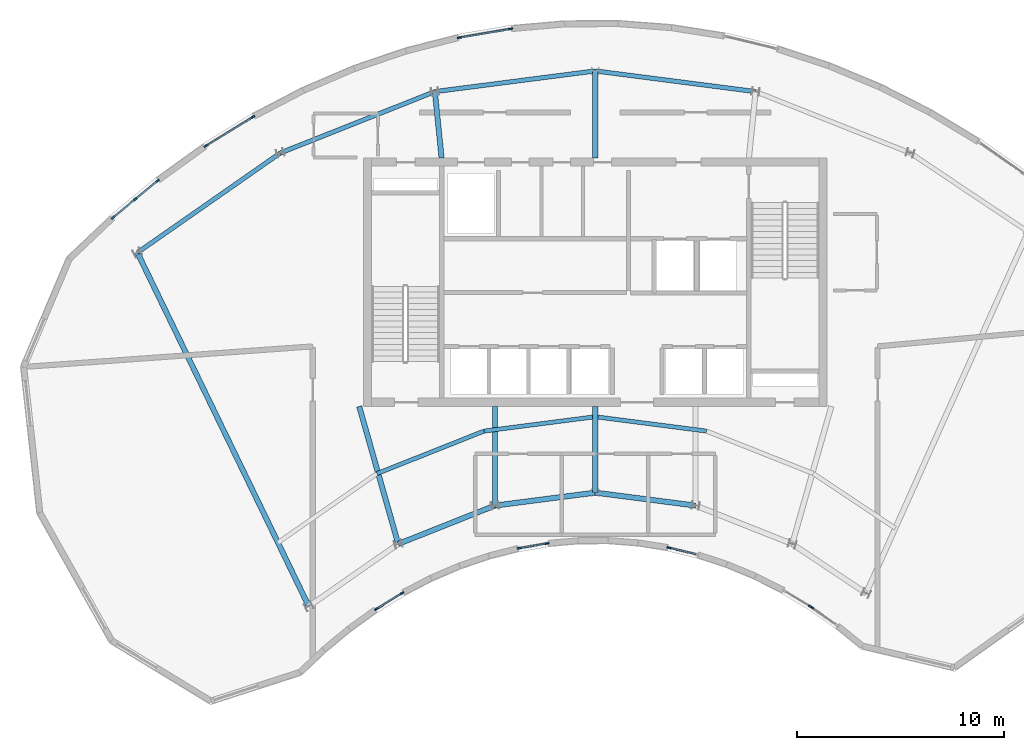
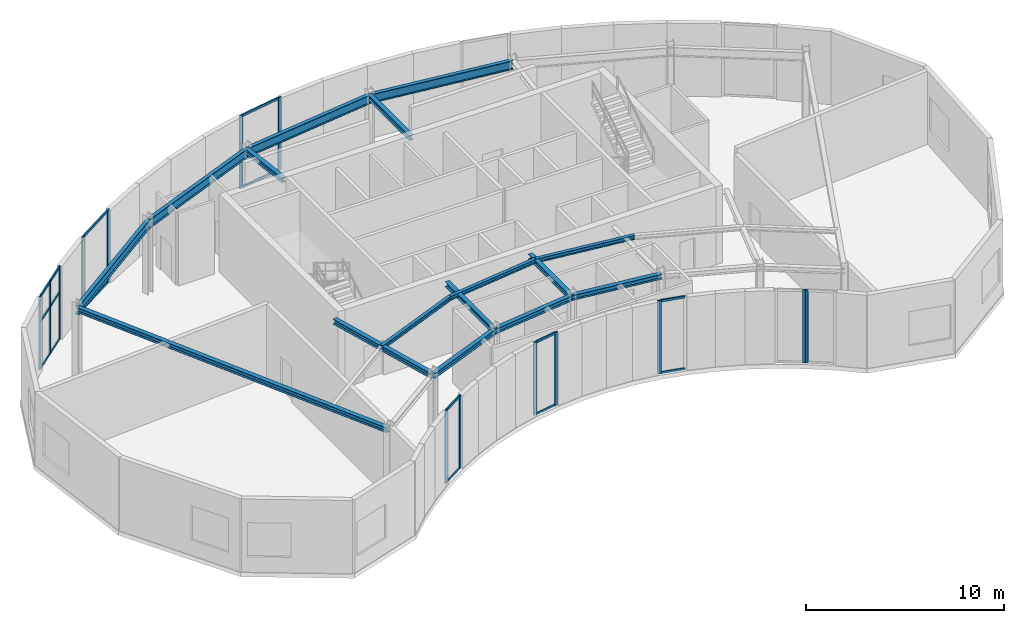
# One storey, part 3 of 10: 30 members, 16 beams, 8 elements without a shape of their own.
"""IFC4 building model written with IfcOpenShell, lengths in metres."""

from ifc_helpers import new_model, si_unit, direction, frame, origin, origin_2d, place, context, subcontext, project, spatial, rectangle, i_section, extrude, source, transform, mapped, material, layer, layer_set, material_profile, profile_set, type_object, element, aggregate, save


model = new_model("IFC4")

# Units and contexts
model_context = context("Model", 3, precision=1e-05, world=origin(), true_north=direction((0.0, 1.0)))
body_context = subcontext(model_context, "Body", "Model", "MODEL_VIEW")
ifc_project = project(units=[si_unit("LENGTHUNIT", "METRE"), si_unit("AREAUNIT", "SQUARE_METRE"), si_unit("VOLUMEUNIT", "CUBIC_METRE"), si_unit("PLANEANGLEUNIT", "RADIAN"), si_unit("MASSUNIT", "GRAM", prefix="KILO")], contexts=[model_context])

# Site, building, storey
site_placement = place(None, origin())
site = spatial("IfcSite", under=ifc_project, at=site_placement, CompositionType="ELEMENT")
building_placement = place(site_placement, origin())
building = spatial("IfcBuilding", under=site, at=building_placement, Name="Breltana Convention Tower", CompositionType="ELEMENT")
storey_placement = place(building_placement, frame((0.0, 0.0, 307.800048828125)))
storey = spatial("IfcBuildingStorey", under=building, at=storey_placement, Name="L75", CompositionType="ELEMENT", Elevation=307.800048828125)

# Beams
ifc_material_1 = material(Name="Steel ASTM A992 Grade 50", Category="steel")
ifc_material_profile_1 = material_profile(ifc_material_1, i_section(OverallWidth=0.214111328125, OverallDepth=0.549072265625, WebThickness=0.0146484375, FlangeThickness=0.023681640625, at=origin_2d()), Name="W21X93")
ifc_profile_set_1 = profile_set([ifc_material_profile_1], Name="Steel ASTM A992 Grade 50")
beam_type_1 = type_object("IfcBeamType", Name="BM-SP-W21X93", PredefinedType="SPANDREL", material=ifc_profile_set_1)
shared_shape_1 = source(origin(), body_context, "Body", "SweptSolid", [
    extrude(i_section(OverallWidth=0.214111328125, OverallDepth=0.549072265625, WebThickness=0.0146484375, FlangeThickness=0.023681640625, at=origin_2d()), origin(), (0.0, 0.0, 1.0), 8.4169921875),
])
beam_1_placement = place(storey_placement, frame((25.8876953125, 67.626953125, 4.225341796875), z_axis=(0.820173800102, 0.572114444519, 0.0), x_axis=(-0.572114444519, 0.820173800102, 0.0)))
element("IfcBeam", 1, at=beam_1_placement, inside=storey, type_object=beam_type_1, Name="L75 Outer Spandrel Beam 03", PredefinedType="SPANDREL", context=body_context, shape_type="MappedRepresentation", body=[
    mapped(shared_shape_1, transform((0.0, 0.0, 0.0), scale=1.0)),
])
shared_shape_2 = source(origin(), body_context, "Body", "SweptSolid", [
    extrude(i_section(OverallWidth=0.214111328125, OverallDepth=0.549072265625, WebThickness=0.0146484375, FlangeThickness=0.023681640625, at=origin_2d()), origin(), (0.0, 0.0, 1.0), 8.028564453125),
])
beam_2_placement = place(storey_placement, frame((32.791015625, 72.4423828125, 4.225341796875), z_axis=(0.929459100394, 0.368925169507, 0.0), x_axis=(-0.368925169507, 0.929459100394, 0.0)))
element("IfcBeam", 2, at=beam_2_placement, inside=storey, type_object=beam_type_1, Name="L75 Outer Spandrel Beam 04", PredefinedType="SPANDREL", context=body_context, shape_type="MappedRepresentation", body=[
    mapped(shared_shape_2, transform((0.0, 0.0, 0.0), scale=1.0)),
])
shared_shape_3 = source(origin(), body_context, "Body", "SweptSolid", [
    extrude(i_section(OverallWidth=0.214111328125, OverallDepth=0.549072265625, WebThickness=0.0146484375, FlangeThickness=0.023681640625, at=origin_2d()), origin(), (0.0, 0.0, 1.0), 7.81103515625),
])
for number, where, z_axis, x_axis, name in (
    (3, (40.253173828125, 75.404296875, 4.225341796875), (0.991775179127, 0.127992164083, 0.0), (-0.127992164083, 0.991775179127, 0.0), "L75 Outer Spandrel Beam 05"),
    (4, (48.0, 76.404052734375, 4.225341796875), (0.991775179127, -0.127992164083, 0.0), (0.127992164083, 0.991775179127, 0.0), "L75 Outer Spandrel Beam 06"),
):
    element("IfcBeam", number, at=place(storey_placement, frame(where, z_axis=z_axis, x_axis=x_axis)), inside=storey, type_object=beam_type_1, Name=name, PredefinedType="SPANDREL", context=body_context, shape_type="MappedRepresentation", body=[
        mapped(shared_shape_3, transform((0.0, 0.0, 0.0), scale=1.0)),
    ])
ifc_material_profile_2 = material_profile(ifc_material_1, i_section(OverallWidth=0.25390625, OverallDepth=0.305908203125, WebThickness=0.0087890625, FlangeThickness=0.0146484375, at=origin_2d()), Name="W12X53")
ifc_profile_set_2 = profile_set([ifc_material_profile_2], Name="Steel ASTM A992 Grade 50")
beam_type_2 = type_object("IfcBeamType", Name="BM-CN-W12X53", PredefinedType="BEAM", material=ifc_profile_set_2)
shared_shape_4 = source(origin(), body_context, "Body", "SweptSolid", [
    extrude(i_section(OverallWidth=0.25390625, OverallDepth=0.305908203125, WebThickness=0.0087890625, FlangeThickness=0.0146484375, at=origin_2d()), origin(), (0.0, 0.0, 1.0), 18.982421875),
])
beam_3_placement = place(storey_placement, frame((34.166259765625, 50.544921875, 4.346923828125), z_axis=(-0.436118560343, 0.89988921614, 0.0), x_axis=(-0.89988921614, -0.436118560343, 0.0)))
element("IfcBeam", 5, at=beam_3_placement, inside=storey, type_object=beam_type_2, Name="L75 Radial Floor Girder R03", PredefinedType="BEAM", context=body_context, shape_type="MappedRepresentation", body=[
    mapped(shared_shape_4, transform((0.0, 0.0, 0.0), scale=1.0)),
])
shared_shape_5 = source(origin(), body_context, "Body", "SweptSolid", [
    extrude(i_section(OverallWidth=0.25390625, OverallDepth=0.305908203125, WebThickness=0.0087890625, FlangeThickness=0.0146484375, at=origin_2d()), origin(), (0.0, 0.0, 1.0), 6.904541015625),
])
beam_4_placement = place(storey_placement, frame((36.60009765625, 60.199951171875, 4.346923828125), z_axis=(0.273006781054, -0.962012108811, 0.0), x_axis=(0.962012108811, 0.273006781054, 0.0)))
element("IfcBeam", 6, at=beam_4_placement, inside=storey, type_object=beam_type_2, Name="L75 South Core Tie Girder R04", PredefinedType="BEAM", context=body_context, shape_type="MappedRepresentation", body=[
    mapped(shared_shape_5, transform((0.0, 0.0, 0.0), scale=1.0)),
])
shared_shape_6 = source(origin(), body_context, "Body", "SweptSolid", [
    extrude(i_section(OverallWidth=0.25390625, OverallDepth=0.305908203125, WebThickness=0.0087890625, FlangeThickness=0.0146484375, at=origin_2d()), origin(), (0.0, 0.0, 1.0), 4.789306640625),
])
beam_5_placement = place(storey_placement, frame((43.153564453125, 60.199951171875, 4.346923828125), z_axis=(0.0, -1.0, 0.0), x_axis=(1.0, 0.0, 0.0)))
element("IfcBeam", 7, at=beam_5_placement, inside=storey, type_object=beam_type_2, Name="L75 South Core Tie Girder R05", PredefinedType="BEAM", context=body_context, shape_type="MappedRepresentation", body=[
    mapped(shared_shape_6, transform((0.0, 0.0, 0.0), scale=1.0)),
])
shared_shape_7 = source(origin(), body_context, "Body", "SweptSolid", [
    extrude(i_section(OverallWidth=0.25390625, OverallDepth=0.305908203125, WebThickness=0.0087890625, FlangeThickness=0.0146484375, at=origin_2d()), origin(), (0.0, 0.0, 1.0), 3.220947265625),
])
beam_6_placement = place(storey_placement, frame((40.580078125, 72.199951171875, 4.346923828125), z_axis=(-0.101492254858, 0.994836329355, 0.0), x_axis=(-0.994836329355, -0.101492254858, 0.0)))
element("IfcBeam", 8, at=beam_6_placement, inside=storey, type_object=beam_type_2, Name="L75 North Core Radial Girder R05", PredefinedType="BEAM", context=body_context, shape_type="MappedRepresentation", body=[
    mapped(shared_shape_7, transform((0.0, 0.0, 0.0), scale=1.0)),
])
shared_shape_8 = source(origin(), body_context, "Body", "SweptSolid", [
    extrude(i_section(OverallWidth=0.25390625, OverallDepth=0.305908203125, WebThickness=0.0087890625, FlangeThickness=0.0146484375, at=origin_2d()), origin(), (0.0, 0.0, 1.0), 4.1640625),
])
beam_7_placement = place(storey_placement, frame((48.0, 60.199951171875, 4.346923828125), z_axis=(0.0, -1.0, 0.0), x_axis=(1.0, 0.0, 0.0)))
element("IfcBeam", 9, at=beam_7_placement, inside=storey, type_object=beam_type_2, Name="L75 South Core Tie Girder R06", PredefinedType="BEAM", context=body_context, shape_type="MappedRepresentation", body=[
    mapped(shared_shape_8, transform((0.0, 0.0, 0.0), scale=1.0)),
])
shared_shape_9 = source(origin(), body_context, "Body", "SweptSolid", [
    extrude(i_section(OverallWidth=0.25390625, OverallDepth=0.305908203125, WebThickness=0.0087890625, FlangeThickness=0.0146484375, at=origin_2d()), origin(), (0.0, 0.0, 1.0), 4.2041015625),
])
beam_8_placement = place(storey_placement, frame((48.0, 72.199951171875, 4.346923828125), z_axis=(0.0, 1.0, 0.0), x_axis=(-1.0, 0.0, 0.0)))
element("IfcBeam", 10, at=beam_8_placement, inside=storey, type_object=beam_type_2, Name="L75 North Core Radial Girder R06", PredefinedType="BEAM", context=body_context, shape_type="MappedRepresentation", body=[
    mapped(shared_shape_9, transform((0.0, 0.0, 0.0), scale=1.0)),
])
shared_shape_10 = source(origin(), body_context, "Body", "SweptSolid", [
    extrude(i_section(OverallWidth=0.25390625, OverallDepth=0.305908203125, WebThickness=0.0087890625, FlangeThickness=0.0146484375, at=origin_2d()), origin(), (0.0, 0.0, 1.0), 5.022705078125),
])
beam_9_placement = place(storey_placement, frame((38.485107421875, 53.5576171875, 4.346923828125), z_axis=(0.929458966248, 0.368925507469, 0.0), x_axis=(-0.368925507469, 0.929458966248, 0.0)))
element("IfcBeam", 11, at=beam_9_placement, inside=storey, type_object=beam_type_2, Name="L75 Inner Ring Beam 04", PredefinedType="BEAM", context=body_context, shape_type="MappedRepresentation", body=[
    mapped(shared_shape_10, transform((0.0, 0.0, 0.0), scale=1.0)),
])
shared_shape_11 = source(origin(), body_context, "Body", "SweptSolid", [
    extrude(i_section(OverallWidth=0.25390625, OverallDepth=0.305908203125, WebThickness=0.0087890625, FlangeThickness=0.0146484375, at=origin_2d()), origin(), (0.0, 0.0, 1.0), 4.88671875),
])
for number, where, z_axis, x_axis, name in (
    (12, (43.153564453125, 55.41064453125, 4.346923828125), (0.991780525565, 0.127950729231, 0.0), (-0.127950729231, 0.991780525565, 0.0), "L75 Inner Ring Beam 05"),
    (13, (48.0, 56.035888671875, 4.346923828125), (0.991780525565, -0.127950729231, 0.0), (0.127950729231, 0.991780525565, 0.0), "L75 Inner Ring Beam 06"),
):
    element("IfcBeam", number, at=place(storey_placement, frame(where, z_axis=z_axis, x_axis=x_axis)), inside=storey, type_object=beam_type_2, Name=name, PredefinedType="BEAM", context=body_context, shape_type="MappedRepresentation", body=[
        mapped(shared_shape_11, transform((0.0, 0.0, 0.0), scale=1.0)),
    ])
ifc_material_profile_3 = material_profile(ifc_material_1, i_section(OverallWidth=0.201904296875, OverallDepth=0.2470703125, WebThickness=0.00732421875, FlangeThickness=0.010986328125, at=origin_2d()), Name="W10X33")
ifc_profile_set_3 = profile_set([ifc_material_profile_3], Name="Steel ASTM A992 Grade 50")
beam_type_3 = type_object("IfcBeamType", Name="BM-LN-W10X33", PredefinedType="LINTEL", material=ifc_profile_set_3)
shared_shape_12 = source(origin(), body_context, "Body", "SweptSolid", [
    extrude(i_section(OverallWidth=0.201904296875, OverallDepth=0.2470703125, WebThickness=0.00732421875, FlangeThickness=0.010986328125, at=origin_2d()), origin(), (0.0, 0.0, 1.0), 5.563720703125),
])
beam_10_placement = place(storey_placement, frame((37.460205078125, 56.956787109375, 4.37646484375), z_axis=(0.929447960386, 0.368953234074, 0.0), x_axis=(-0.368953234074, 0.929447960386, 0.0)))
element("IfcBeam", 14, at=beam_10_placement, inside=storey, type_object=beam_type_3, Name="L75 Composite Floor Joist 04.1", PredefinedType="LINTEL", context=body_context, shape_type="MappedRepresentation", body=[
    mapped(shared_shape_12, transform((0.0, 0.0, 0.0), scale=1.0)),
])
shared_shape_13 = source(origin(), body_context, "Body", "SweptSolid", [
    extrude(i_section(OverallWidth=0.201904296875, OverallDepth=0.2470703125, WebThickness=0.00732421875, FlangeThickness=0.010986328125, at=origin_2d()), origin(), (0.0, 0.0, 1.0), 5.4130859375),
])
for number, where, z_axis, x_axis, name in (
    (15, (42.63134765625, 59.009521484375, 4.37646484375), (0.991780266945, 0.127952733848, 0.0), (-0.127952733848, 0.991780266945, 0.0), "L75 Composite Floor Joist 05.1"),
    (16, (48.0, 59.7021484375, 4.37646484375), (0.991780266945, -0.127952733848, 0.0), (0.127952733848, 0.991780266945, 0.0), "L75 Composite Floor Joist 06.1"),
):
    element("IfcBeam", number, at=place(storey_placement, frame(where, z_axis=z_axis, x_axis=x_axis)), inside=storey, type_object=beam_type_3, Name=name, PredefinedType="LINTEL", context=body_context, shape_type="MappedRepresentation", body=[
        mapped(shared_shape_13, transform((0.0, 0.0, 0.0), scale=1.0)),
    ])

# Curtain wall, members
ifc_material_2 = material(Name="Aluminium Anodised Bronze Frame", Category="aluminium")
ifc_layer_1 = layer(ifc_material_2, 0.18994140625, Name="Aluminium Anodised Bronze Frame")
ifc_layer_set_1 = layer_set([ifc_layer_1], Name="Aluminium Anodised Bronze Frame")
curtain_wall_type_1 = type_object("IfcCurtainWallType", Name="CW-SYS-1", PredefinedType="NOTDEFINED", material=ifc_layer_set_1)
curtain_wall_1_placement = place(storey_placement, origin())
curtain_wall_1 = element("IfcCurtainWall", 17, at=curtain_wall_1_placement, inside=storey, type_object=curtain_wall_type_1, Name="L75 inner south-court glazing 3", PredefinedType="NOTDEFINED")
ifc_material_3 = material(Name="Aluminium Anodised Bronze", Category="aluminium")
ifc_material_profile_4 = material_profile(ifc_material_3, rectangle(XDim=0.080078125, YDim=0.139892578125, at=origin_2d()), Name="CWT-80X140")
ifc_profile_set_4 = profile_set([ifc_material_profile_4], Name="Aluminium Anodised Bronze")
member_type_1 = type_object("IfcMemberType", Name="CWT-140", PredefinedType="USERDEFINED", material=ifc_profile_set_4)
shared_shape_14 = source(origin(), body_context, "Body", "SweptSolid", [
    extrude(rectangle(XDim=0.080078125, YDim=0.139892578125, at=origin_2d()), origin(), (0.0, 0.0, 1.0), 1.296142578125),
])
member_1_placement = place(storey_placement, frame((52.86083984375, 53.06103515625, 0.0400390625), z_axis=(-0.97184618516, 0.235616197216, 0.0), x_axis=(-0.235616197216, -0.97184618516, 0.0)))
member_1 = element("IfcMember", 18, at=member_1_placement, type_object=member_type_1, Name="CW-01 transom 1.1", ObjectType="TRANSOM", PredefinedType="USERDEFINED", context=body_context, shape_type="MappedRepresentation", body=[
    mapped(shared_shape_14, transform((0.0, 0.0, 0.0), scale=1.0)),
])
member_2_placement = place(storey_placement, frame((52.86083984375, 53.06103515625, 4.4599609375), z_axis=(-0.97184618516, 0.235616197216, 0.0), x_axis=(-0.235616197216, -0.97184618516, 0.0)))
member_2 = element("IfcMember", 19, at=member_2_placement, type_object=member_type_1, Name="CW-01 transom 1.2", ObjectType="TRANSOM", PredefinedType="USERDEFINED", context=body_context, shape_type="MappedRepresentation", body=[
    mapped(shared_shape_14, transform((0.0, 0.0, 0.0), scale=1.0)),
])

curtain_wall_2_placement = place(storey_placement, origin())
curtain_wall_2 = element("IfcCurtainWall", 20, at=curtain_wall_2_placement, inside=storey, type_object=curtain_wall_type_1, Name="L75 inner south-court glazing 4", PredefinedType="NOTDEFINED")
shared_shape_15 = source(origin(), body_context, "Body", "SweptSolid", [
    extrude(rectangle(XDim=0.080078125, YDim=0.139892578125, at=origin_2d()), origin(), (0.0, 0.0, 1.0), 1.287353515625),
])
member_3_placement = place(storey_placement, frame((45.6337890625, 53.57568359375, 0.0400390625), z_axis=(-0.985782429966, -0.16802678587, 0.0), x_axis=(0.16802678587, -0.985782429966, 0.0)))
member_3 = element("IfcMember", 21, at=member_3_placement, type_object=member_type_1, Name="CW-01 transom 1.1", ObjectType="TRANSOM", PredefinedType="USERDEFINED", context=body_context, shape_type="MappedRepresentation", body=[
    mapped(shared_shape_15, transform((0.0, 0.0, 0.0), scale=1.0)),
])
member_4_placement = place(storey_placement, frame((45.6337890625, 53.57568359375, 4.4599609375), z_axis=(-0.985782429966, -0.16802678587, 0.0), x_axis=(0.16802678587, -0.985782429966, 0.0)))
member_4 = element("IfcMember", 22, at=member_4_placement, type_object=member_type_1, Name="CW-01 transom 1.2", ObjectType="TRANSOM", PredefinedType="USERDEFINED", context=body_context, shape_type="MappedRepresentation", body=[
    mapped(shared_shape_15, transform((0.0, 0.0, 0.0), scale=1.0)),
])

curtain_wall_3_placement = place(storey_placement, origin())
curtain_wall_3 = element("IfcCurtainWall", 23, at=curtain_wall_3_placement, inside=storey, type_object=curtain_wall_type_1, Name="L75 inner south-court glazing 5", PredefinedType="NOTDEFINED")
shared_shape_16 = source(origin(), body_context, "Body", "SweptSolid", [
    extrude(rectangle(XDim=0.080078125, YDim=0.139892578125, at=origin_2d()), origin(), (0.0, 0.0, 1.0), 1.37548828125),
])
member_5_placement = place(storey_placement, frame((38.6357421875, 51.159423828125, 0.0400390625), z_axis=(-0.850748978808, -0.525572235813, 0.0), x_axis=(0.525572235813, -0.850748978808, 0.0)))
member_5 = element("IfcMember", 24, at=member_5_placement, type_object=member_type_1, Name="CW-01 transom 1.1", ObjectType="TRANSOM", PredefinedType="USERDEFINED", context=body_context, shape_type="MappedRepresentation", body=[
    mapped(shared_shape_16, transform((0.0, 0.0, 0.0), scale=1.0)),
])
member_6_placement = place(storey_placement, frame((38.6357421875, 51.159423828125, 4.4599609375), z_axis=(-0.850748978808, -0.525572235813, 0.0), x_axis=(0.525572235813, -0.850748978808, 0.0)))
member_6 = element("IfcMember", 25, at=member_6_placement, type_object=member_type_1, Name="CW-01 transom 1.2", ObjectType="TRANSOM", PredefinedType="USERDEFINED", context=body_context, shape_type="MappedRepresentation", body=[
    mapped(shared_shape_16, transform((0.0, 0.0, 0.0), scale=1.0)),
])

ifc_layer_2 = layer(ifc_material_2, 0.239990234375, Name="Aluminium Anodised Bronze Frame")
ifc_layer_set_2 = layer_set([ifc_layer_2], Name="Aluminium Anodised Bronze Frame")
curtain_wall_type_2 = type_object("IfcCurtainWallType", Name="CW-SYS-6", PredefinedType="NOTDEFINED", material=ifc_layer_set_2)
curtain_wall_4_placement = place(storey_placement, origin())
curtain_wall_4 = element("IfcCurtainWall", 26, at=curtain_wall_4_placement, inside=storey, type_object=curtain_wall_type_2, Name="L75 outer double-skin inner glazing 1", PredefinedType="NOTDEFINED")
shared_shape_17 = source(origin(), body_context, "Body", "SweptSolid", [
    extrude(rectangle(XDim=0.080078125, YDim=0.139892578125, at=origin_2d()), origin(), (0.0, 0.0, 1.0), 1.305908203125),
])
member_7_placement = place(storey_placement, frame((24.75146484375, 69.35009765625, 0.0400390625), z_axis=(0.769675055177, 0.638435830321, 0.0), x_axis=(-0.638435830321, 0.769675055177, 0.0)))
member_7 = element("IfcMember", 27, at=member_7_placement, type_object=member_type_1, Name="CW-06 transom 1.1", ObjectType="TRANSOM", PredefinedType="USERDEFINED", context=body_context, shape_type="MappedRepresentation", body=[
    mapped(shared_shape_17, transform((0.0, 0.0, 0.0), scale=1.0)),
])
member_8_placement = place(storey_placement, frame((24.75146484375, 69.35009765625, 2.925048828125), z_axis=(0.769675055177, 0.638435830321, 0.0), x_axis=(-0.638435830321, 0.769675055177, 0.0)))
member_8 = element("IfcMember", 28, at=member_8_placement, type_object=member_type_1, Name="CW-06 transom 1.2", ObjectType="TRANSOM", PredefinedType="USERDEFINED", context=body_context, shape_type="MappedRepresentation", body=[
    mapped(shared_shape_17, transform((0.0, 0.0, 0.0), scale=1.0)),
])
member_9_placement = place(storey_placement, frame((24.75146484375, 69.35009765625, 4.4599609375), z_axis=(0.769675055177, 0.638435830321, 0.0), x_axis=(-0.638435830321, 0.769675055177, 0.0)))
member_9 = element("IfcMember", 29, at=member_9_placement, type_object=member_type_1, Name="CW-06 transom 1.3", ObjectType="TRANSOM", PredefinedType="USERDEFINED", context=body_context, shape_type="MappedRepresentation", body=[
    mapped(shared_shape_17, transform((0.0, 0.0, 0.0), scale=1.0)),
])
shared_shape_18 = source(origin(), body_context, "Body", "SweptSolid", [
    extrude(rectangle(XDim=0.080078125, YDim=0.139892578125, at=origin_2d()), origin(), (0.0, 0.0, 1.0), 1.30615234375),
])
member_10_placement = place(storey_placement, frame((25.818359375, 70.23486328125, 0.0400390625), z_axis=(0.7697512398, 0.638343973753, 0.0), x_axis=(-0.638343973753, 0.7697512398, 0.0)))
member_10 = element("IfcMember", 30, at=member_10_placement, type_object=member_type_1, Name="CW-06 transom 2.1", ObjectType="TRANSOM", PredefinedType="USERDEFINED", context=body_context, shape_type="MappedRepresentation", body=[
    mapped(shared_shape_18, transform((0.0, 0.0, 0.0), scale=1.0)),
])
member_11_placement = place(storey_placement, frame((25.818359375, 70.23486328125, 2.925048828125), z_axis=(0.7697512398, 0.638343973753, 0.0), x_axis=(-0.638343973753, 0.7697512398, 0.0)))
member_11 = element("IfcMember", 31, at=member_11_placement, type_object=member_type_1, Name="CW-06 transom 2.2", ObjectType="TRANSOM", PredefinedType="USERDEFINED", context=body_context, shape_type="MappedRepresentation", body=[
    mapped(shared_shape_18, transform((0.0, 0.0, 0.0), scale=1.0)),
])
member_12_placement = place(storey_placement, frame((25.818359375, 70.23486328125, 4.4599609375), z_axis=(0.7697512398, 0.638343973753, 0.0), x_axis=(-0.638343973753, 0.7697512398, 0.0)))
member_12 = element("IfcMember", 32, at=member_12_placement, type_object=member_type_1, Name="CW-06 transom 2.3", ObjectType="TRANSOM", PredefinedType="USERDEFINED", context=body_context, shape_type="MappedRepresentation", body=[
    mapped(shared_shape_18, transform((0.0, 0.0, 0.0), scale=1.0)),
])

curtain_wall_5_placement = place(storey_placement, origin())
curtain_wall_5 = element("IfcCurtainWall", 33, at=curtain_wall_5_placement, inside=storey, type_object=curtain_wall_type_2, Name="L75 outer double-skin inner glazing 2", PredefinedType="NOTDEFINED")
shared_shape_19 = source(origin(), body_context, "Body", "SweptSolid", [
    extrude(rectangle(XDim=0.080078125, YDim=0.139892578125, at=origin_2d()), origin(), (0.0, 0.0, 1.0), 2.594482421875),
])
member_13_placement = place(storey_placement, frame((29.22705078125, 72.798828125, 0.0400390625), z_axis=(0.850762111111, 0.525550977829, 0.0), x_axis=(-0.525550977829, 0.850762111111, 0.0)))
member_13 = element("IfcMember", 34, at=member_13_placement, type_object=member_type_1, Name="CW-06 transom 1.1", ObjectType="TRANSOM", PredefinedType="USERDEFINED", context=body_context, shape_type="MappedRepresentation", body=[
    mapped(shared_shape_19, transform((0.0, 0.0, 0.0), scale=1.0)),
])
member_14_placement = place(storey_placement, frame((29.22705078125, 72.798828125, 4.4599609375), z_axis=(0.850762111111, 0.525550977829, 0.0), x_axis=(-0.525550977829, 0.850762111111, 0.0)))
member_14 = element("IfcMember", 35, at=member_14_placement, type_object=member_type_1, Name="CW-06 transom 1.2", ObjectType="TRANSOM", PredefinedType="USERDEFINED", context=body_context, shape_type="MappedRepresentation", body=[
    mapped(shared_shape_19, transform((0.0, 0.0, 0.0), scale=1.0)),
])

curtain_wall_6_placement = place(storey_placement, origin())
curtain_wall_6 = element("IfcCurtainWall", 36, at=curtain_wall_6_placement, inside=storey, type_object=curtain_wall_type_2, Name="L75 outer double-skin inner glazing 3", PredefinedType="NOTDEFINED")
shared_shape_20 = source(origin(), body_context, "Body", "SweptSolid", [
    extrude(rectangle(XDim=0.080078125, YDim=0.139892578125, at=origin_2d()), origin(), (0.0, 0.0, 1.0), 2.4345703125),
])
member_15_placement = place(storey_placement, frame((41.4755859375, 78.02001953125, 0.0400390625), z_axis=(0.985791152672, 0.167975603329, 0.0), x_axis=(-0.167975603329, 0.985791152672, 0.0)))
member_15 = element("IfcMember", 37, at=member_15_placement, type_object=member_type_1, Name="CW-06 transom 1.1", ObjectType="TRANSOM", PredefinedType="USERDEFINED", context=body_context, shape_type="MappedRepresentation", body=[
    mapped(shared_shape_20, transform((0.0, 0.0, 0.0), scale=1.0)),
])
member_16_placement = place(storey_placement, frame((41.4755859375, 78.02001953125, 4.4599609375), z_axis=(0.985791152672, 0.167975603329, 0.0), x_axis=(-0.167975603329, 0.985791152672, 0.0)))
member_16 = element("IfcMember", 38, at=member_16_placement, type_object=member_type_1, Name="CW-06 transom 1.2", ObjectType="TRANSOM", PredefinedType="USERDEFINED", context=body_context, shape_type="MappedRepresentation", body=[
    mapped(shared_shape_20, transform((0.0, 0.0, 0.0), scale=1.0)),
])

# Curtain wall, member
curtain_wall_7_placement = place(storey_placement, origin())
curtain_wall_7 = element("IfcCurtainWall", 39, at=curtain_wall_7_placement, inside=storey, type_object=curtain_wall_type_1, Name="L75 inner south-court glazing 1", PredefinedType="NOTDEFINED")
ifc_material_profile_5 = material_profile(ifc_material_3, rectangle(XDim=0.080078125, YDim=0.199951171875, at=origin_2d()), Name="CWM-80X200")
ifc_profile_set_5 = profile_set([ifc_material_profile_5], Name="Aluminium Anodised Bronze")
member_type_2 = type_object("IfcMemberType", Name="CWM-200", PredefinedType="MULLION", material=ifc_profile_set_5)
shared_shape_21 = source(origin(), body_context, "Body", "SweptSolid", [
    extrude(rectangle(XDim=0.080078125, YDim=0.199951171875, at=origin_2d()), origin(), (0.0, 0.0, 1.0), 4.5),
])
member_17_placement = place(storey_placement, frame((58.4599609375, 50.4873046875, 0.0), z_axis=(0.0, 0.0, 1.0), x_axis=(-0.576173895534, -0.817327132857, 0.0)))
member_17 = element("IfcMember", 40, at=member_17_placement, type_object=member_type_2, Name="CW-01 mullion 2", PredefinedType="MULLION", context=body_context, shape_type="MappedRepresentation", body=[
    mapped(shared_shape_21, transform((0.0, 0.0, 0.0), scale=1.0)),
])
aggregate(curtain_wall_7, [member_17])

curtain_wall_8_placement = place(storey_placement, origin())
curtain_wall_8 = element("IfcCurtainWall", 41, at=curtain_wall_8_placement, inside=storey, type_object=curtain_wall_type_1, Name="L75 inner south-court glazing 2", PredefinedType="NOTDEFINED")
member_18_placement = place(storey_placement, frame((58.38232421875, 50.5380859375, 0.0), z_axis=(0.0, 0.0, 1.0), x_axis=(-0.516826673654, -0.856090059164, 0.0)))
member_18 = element("IfcMember", 42, at=member_18_placement, type_object=member_type_2, Name="CW-01 mullion 1", PredefinedType="MULLION", context=body_context, shape_type="MappedRepresentation", body=[
    mapped(shared_shape_21, transform((0.0, 0.0, 0.0), scale=1.0)),
])
aggregate(curtain_wall_8, [member_18])

# Member
member_19_placement = place(storey_placement, frame((51.562255859375, 53.3759765625, 0.0), z_axis=(0.0, 0.0, 1.0), x_axis=(-0.235517485062, -0.97187011181, 0.0)))
member_19 = element("IfcMember", 43, at=member_19_placement, type_object=member_type_2, Name="CW-01 mullion 2", PredefinedType="MULLION", context=body_context, shape_type="MappedRepresentation", body=[
    mapped(shared_shape_21, transform((0.0, 0.0, 0.0), scale=1.0)),
])

aggregate(curtain_wall_1, [member_19, member_1, member_2])

member_20_placement = place(storey_placement, frame((45.673095703125, 53.582275390625, 0.0), z_axis=(0.0, 0.0, 1.0), x_axis=(0.168027922521, -0.985782236223, 0.0)))
member_20 = element("IfcMember", 44, at=member_20_placement, type_object=member_type_2, Name="CW-01 mullion 1", PredefinedType="MULLION", context=body_context, shape_type="MappedRepresentation", body=[
    mapped(shared_shape_21, transform((0.0, 0.0, 0.0), scale=1.0)),
])

member_21_placement = place(storey_placement, frame((44.3251953125, 53.3525390625, 0.0), z_axis=(0.0, 0.0, 1.0), x_axis=(0.168027922521, -0.985782236223, 0.0)))
member_21 = element("IfcMember", 45, at=member_21_placement, type_object=member_type_2, Name="CW-01 mullion 2", PredefinedType="MULLION", context=body_context, shape_type="MappedRepresentation", body=[
    mapped(shared_shape_21, transform((0.0, 0.0, 0.0), scale=1.0)),
])

aggregate(curtain_wall_2, [member_20, member_21, member_3, member_4])

member_22_placement = place(storey_placement, frame((38.669677734375, 51.180419921875, 0.0), z_axis=(0.0, 0.0, 1.0), x_axis=(0.525571911271, -0.850749179302, 0.0)))
member_22 = element("IfcMember", 46, at=member_22_placement, type_object=member_type_2, Name="CW-01 mullion 1", PredefinedType="MULLION", context=body_context, shape_type="MappedRepresentation", body=[
    mapped(shared_shape_21, transform((0.0, 0.0, 0.0), scale=1.0)),
])

member_23_placement = place(storey_placement, frame((37.431396484375, 50.41552734375, 0.0), z_axis=(0.0, 0.0, 1.0), x_axis=(0.525571911271, -0.850749179302, 0.0)))
member_23 = element("IfcMember", 47, at=member_23_placement, type_object=member_type_2, Name="CW-01 mullion 2", PredefinedType="MULLION", context=body_context, shape_type="MappedRepresentation", body=[
    mapped(shared_shape_21, transform((0.0, 0.0, 0.0), scale=1.0)),
])

aggregate(curtain_wall_3, [member_22, member_23, member_5, member_6])

member_24_placement = place(storey_placement, frame((24.720703125, 69.32470703125, 0.0), z_axis=(0.0, 0.0, 1.0), x_axis=(-0.638320160979, 0.76977098678, 0.0)))
member_24 = element("IfcMember", 48, at=member_24_placement, type_object=member_type_2, Name="CW-06 mullion 1", PredefinedType="MULLION", context=body_context, shape_type="MappedRepresentation", body=[
    mapped(shared_shape_21, transform((0.0, 0.0, 0.0), scale=1.0)),
])

member_25_placement = place(storey_placement, frame((25.78759765625, 70.209228515625, 0.0), z_axis=(0.0, 0.0, 1.0), x_axis=(-0.638320160979, 0.76977098678, 0.0)))
member_25 = element("IfcMember", 49, at=member_25_placement, type_object=member_type_2, Name="CW-06 mullion 2", PredefinedType="MULLION", context=body_context, shape_type="MappedRepresentation", body=[
    mapped(shared_shape_21, transform((0.0, 0.0, 0.0), scale=1.0)),
])

member_26_placement = place(storey_placement, frame((26.8544921875, 71.093994140625, 0.0), z_axis=(0.0, 0.0, 1.0), x_axis=(-0.638320160979, 0.76977098678, 0.0)))
member_26 = element("IfcMember", 50, at=member_26_placement, type_object=member_type_2, Name="CW-06 mullion 3", PredefinedType="MULLION", context=body_context, shape_type="MappedRepresentation", body=[
    mapped(shared_shape_21, transform((0.0, 0.0, 0.0), scale=1.0)),
])

aggregate(curtain_wall_4, [member_24, member_25, member_26, member_7, member_8, member_9, member_10, member_11, member_12])

member_27_placement = place(storey_placement, frame((29.19287109375, 72.77783203125, 0.0), z_axis=(0.0, 0.0, 1.0), x_axis=(-0.525540797325, 0.850768399946, 0.0)))
member_27 = element("IfcMember", 51, at=member_27_placement, type_object=member_type_2, Name="CW-06 mullion 1", PredefinedType="MULLION", context=body_context, shape_type="MappedRepresentation", body=[
    mapped(shared_shape_21, transform((0.0, 0.0, 0.0), scale=1.0)),
])

member_28_placement = place(storey_placement, frame((31.468505859375, 74.18359375, 0.0), z_axis=(0.0, 0.0, 1.0), x_axis=(-0.525540797325, 0.850768399946, 0.0)))
member_28 = element("IfcMember", 52, at=member_28_placement, type_object=member_type_2, Name="CW-06 mullion 2", PredefinedType="MULLION", context=body_context, shape_type="MappedRepresentation", body=[
    mapped(shared_shape_21, transform((0.0, 0.0, 0.0), scale=1.0)),
])

aggregate(curtain_wall_5, [member_27, member_28, member_13, member_14])

member_29_placement = place(storey_placement, frame((41.436279296875, 78.01318359375, 0.0), z_axis=(0.0, 0.0, 1.0), x_axis=(-0.168016928095, 0.985784110175, 0.0)))
member_29 = element("IfcMember", 53, at=member_29_placement, type_object=member_type_2, Name="CW-06 mullion 1", PredefinedType="MULLION", context=body_context, shape_type="MappedRepresentation", body=[
    mapped(shared_shape_21, transform((0.0, 0.0, 0.0), scale=1.0)),
])

member_30_placement = place(storey_placement, frame((43.914794921875, 78.435791015625, 0.0), z_axis=(0.0, 0.0, 1.0), x_axis=(-0.168016928095, 0.985784110175, 0.0)))
member_30 = element("IfcMember", 54, at=member_30_placement, type_object=member_type_2, Name="CW-06 mullion 2", PredefinedType="MULLION", context=body_context, shape_type="MappedRepresentation", body=[
    mapped(shared_shape_21, transform((0.0, 0.0, 0.0), scale=1.0)),
])

aggregate(curtain_wall_6, [member_29, member_30, member_15, member_16])

save(model, "model.ifc")
